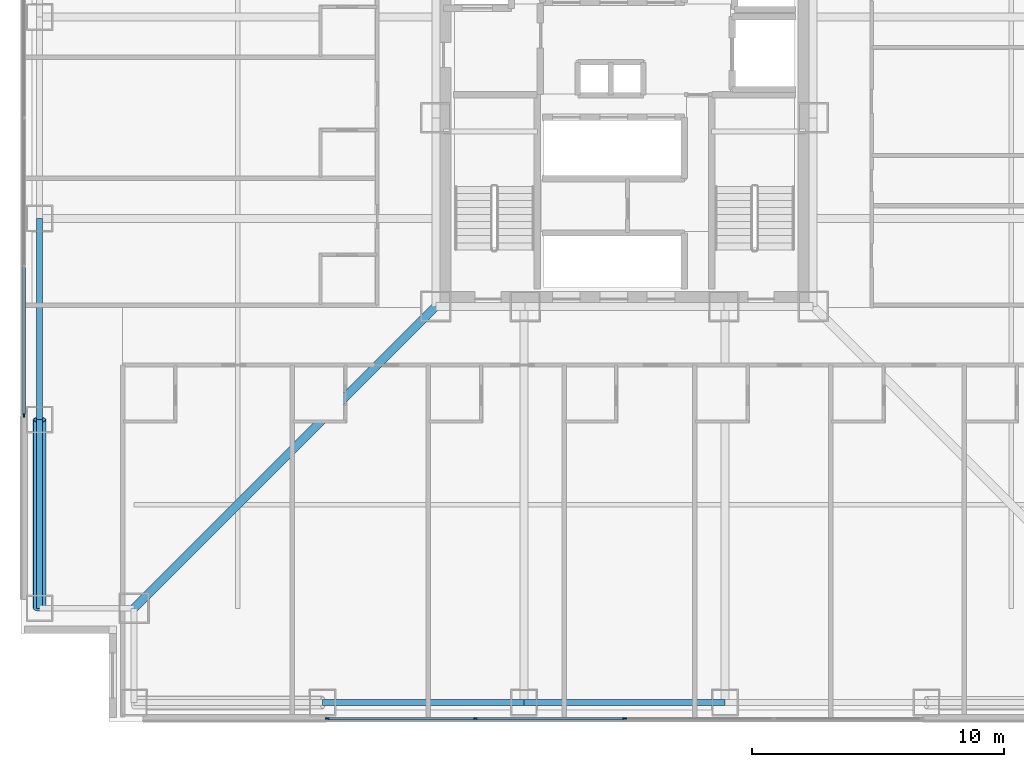
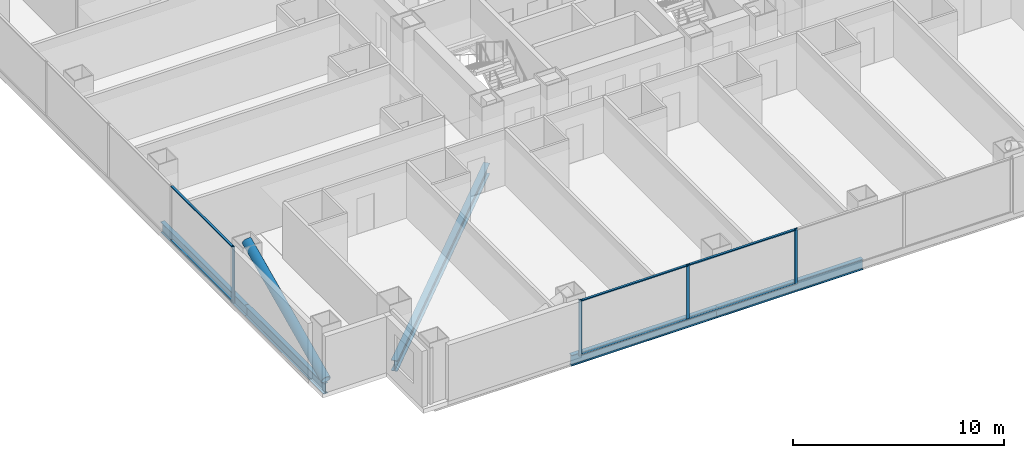
# One storey, part 2 of 23: 11 members, 5 beams, 2 elements without a shape of their own.
"""IFC4 building model written with IfcOpenShell, lengths in metres."""

from ifc_helpers import new_model, si_unit, direction, frame, origin, origin_2d, place, context, subcontext, project, spatial, rectangle, hollow_circle, i_section, extrude, material, layer, layer_set, material_profile, profile_set, type_object, element, aggregate, save


model = new_model("IFC4")

# Units and contexts
model_context = context("Model", 3, precision=1e-05, world=origin(), true_north=direction((0.0, 1.0)))
body_context = subcontext(model_context, "Body", "Model", "MODEL_VIEW")
ifc_project = project(units=[si_unit("LENGTHUNIT", "METRE"), si_unit("AREAUNIT", "SQUARE_METRE"), si_unit("VOLUMEUNIT", "CUBIC_METRE"), si_unit("PLANEANGLEUNIT", "RADIAN"), si_unit("MASSUNIT", "GRAM", prefix="KILO")], contexts=[model_context])

# Site, building, storey
site_placement = place(None, origin())
site = spatial("IfcSite", under=ifc_project, at=site_placement, CompositionType="ELEMENT")
building_placement = place(site_placement, origin())
building = spatial("IfcBuilding", under=site, at=building_placement, Name="Trevonay Congress Spire", CompositionType="ELEMENT")
storey_placement = place(building_placement, frame((0.0, 0.0, 34.0)))
storey = spatial("IfcBuildingStorey", under=building, at=storey_placement, Name="L07", CompositionType="ELEMENT", Elevation=34.0)

# Beams
ifc_material_1 = material(Name="Steel ASTM A572 Grade 50", Category="steel")
ifc_material_profile_1 = material_profile(ifc_material_1, i_section(OverallWidth=0.324951171875, OverallDepth=0.615966796875, WebThickness=0.013916015625, FlangeThickness=0.021484375, FilletRadius=0.01806640625, at=origin_2d()), Name="W610x174")
ifc_profile_set_1 = profile_set([ifc_material_profile_1], Name="Steel ASTM A572 Grade 50")
beam_type_1 = type_object("IfcBeamType", Name="BM-GIRD-W610X174", PredefinedType="BEAM", material=ifc_profile_set_1)
beam_1_placement = place(storey_placement, frame((-7.5, -7.5, -0.55810546875), z_axis=(-0.707106781187, -0.707106781187, 0.0), x_axis=(0.707106781187, -0.707106781187, 0.0)))
element("IfcBeam", 1, at=beam_1_placement, inside=storey, type_object=beam_type_1, Name="L07 structural beam BM-L07-CDSW", PredefinedType="BEAM", context=body_context, shape_type="SweptSolid", body=[
    extrude(i_section(OverallWidth=0.324951171875, OverallDepth=0.615966796875, WebThickness=0.013916015625, FlangeThickness=0.021484375, FilletRadius=0.01806640625, at=origin_2d()), origin(), (0.0, 0.0, 1.0), 16.970458984375),
])
ifc_material_profile_2 = material_profile(ifc_material_1, i_section(OverallWidth=0.22998046875, OverallDepth=0.616943359375, WebThickness=0.01318359375, FlangeThickness=0.022216796875, FilletRadius=0.01611328125, at=origin_2d()), Name="W610x140")
ifc_profile_set_2 = profile_set([ifc_material_profile_2], Name="Steel ASTM A572 Grade 50")
beam_type_2 = type_object("IfcBeamType", Name="BM-RING-W610X140", PredefinedType="BEAM", material=ifc_profile_set_2)
beam_2_placement = place(storey_placement, frame((-23.25, -19.5, -0.55859375), z_axis=(0.0, 1.0, 0.0), x_axis=(-1.0, 0.0, 0.0)))
element("IfcBeam", 2, at=beam_2_placement, inside=storey, type_object=beam_type_2, Name="L07 structural beam BM-L07-PW1", PredefinedType="BEAM", context=body_context, shape_type="SweptSolid", body=[
    extrude(i_section(OverallWidth=0.22998046875, OverallDepth=0.616943359375, WebThickness=0.01318359375, FlangeThickness=0.022216796875, FilletRadius=0.01611328125, at=origin_2d()), origin(), (0.0, 0.0, 1.0), 7.5),
])
for number, where, z_axis, x_axis, name in (
    (3, (-12.0, -23.25, -0.55859375), (1.0, 0.0, 0.0), (0.0, 1.0, 0.0), "L07 structural beam BM-L07-PS2"),
    (4, (-23.25, -12.0, -0.55859375), (0.0, 1.0, 0.0), (-1.0, 0.0, 0.0), "L07 structural beam BM-L07-PW2"),
    (5, (-4.0, -23.25, -0.55859375), (1.0, 0.0, 0.0), (0.0, 1.0, 0.0), "L07 structural beam BM-L07-PS3"),
):
    element("IfcBeam", number, at=place(storey_placement, frame(where, z_axis=z_axis, x_axis=x_axis)), inside=storey, type_object=beam_type_2, Name=name, PredefinedType="BEAM", context=body_context, shape_type="SweptSolid", body=[
        extrude(i_section(OverallWidth=0.22998046875, OverallDepth=0.616943359375, WebThickness=0.01318359375, FlangeThickness=0.022216796875, FilletRadius=0.01611328125, at=origin_2d()), origin(), (0.0, 0.0, 1.0), 8.0),
    ])

# Curtain wall, members
ifc_material_2 = material(Name="Pale Anodised Aluminium EN AW-6063-T6", Category="aluminium")
ifc_layer = layer(ifc_material_2, 0.179931640625, Name="Pale Anodised Aluminium EN AW-6063-T6")
ifc_layer_set = layer_set([ifc_layer], Name="Pale Anodised Aluminium EN AW-6063-T6")
curtain_wall_type = type_object("IfcCurtainWallType", Name="CW-SYS02-HOTEL-PALE-METAL", PredefinedType="NOTDEFINED", material=ifc_layer_set)
curtain_wall_1_placement = place(storey_placement, origin())
curtain_wall_1 = element("IfcCurtainWall", 6, at=curtain_wall_1_placement, inside=storey, type_object=curtain_wall_type, Name="L07 S unitised curtain wall", PredefinedType="NOTDEFINED")
ifc_material_profile_3 = material_profile(ifc_material_2, rectangle(XDim=0.06005859375, YDim=0.159912109375, at=origin_2d()), Name="CW-MULLION-160-ALUMINIUM")
ifc_profile_set_3 = profile_set([ifc_material_profile_3], Name="Pale Anodised Aluminium EN AW-6063-T6")
member_type_1 = type_object("IfcMemberType", Name="CW-MULLION-160-ALUMINIUM", PredefinedType="MULLION", material=ifc_profile_set_3)
member_1_placement = place(storey_placement, frame((-11.820068359375, -23.8798828125, 0.0), z_axis=(0.0, 0.0, 1.0), x_axis=(0.0, 1.0, 0.0)))
member_1 = element("IfcMember", 7, at=member_1_placement, type_object=member_type_1, Name="CW02 mullion 1", PredefinedType="MULLION", context=body_context, shape_type="SweptSolid", body=[
    extrude(rectangle(XDim=0.06005859375, YDim=0.159912109375, at=origin_2d()), origin(), (0.0, 0.0, 1.0), 3.25),
])
member_2_placement = place(storey_placement, frame((-5.925048828125, -23.8798828125, 0.0), z_axis=(0.0, 0.0, 1.0), x_axis=(0.0, 1.0, 0.0)))
member_2 = element("IfcMember", 8, at=member_2_placement, type_object=member_type_1, Name="CW02 mullion 2", PredefinedType="MULLION", context=body_context, shape_type="SweptSolid", body=[
    extrude(rectangle(XDim=0.06005859375, YDim=0.159912109375, at=origin_2d()), origin(), (0.0, 0.0, 1.0), 3.25),
])
member_3_placement = place(storey_placement, frame((0.0, -23.8798828125, 0.0), z_axis=(0.0, 0.0, 1.0), x_axis=(0.0, 1.0, 0.0)))
member_3 = element("IfcMember", 9, at=member_3_placement, type_object=member_type_1, Name="CW02 mullion 3", PredefinedType="MULLION", context=body_context, shape_type="SweptSolid", body=[
    extrude(rectangle(XDim=0.06005859375, YDim=0.159912109375, at=origin_2d()), origin(), (0.0, 0.0, 1.0), 3.25),
])

# Curtain wall, member
curtain_wall_2_placement = place(storey_placement, origin())
curtain_wall_2 = element("IfcCurtainWall", 10, at=curtain_wall_2_placement, inside=storey, type_object=curtain_wall_type, Name="L07 W unitised curtain wall", PredefinedType="NOTDEFINED")
member_4_placement = place(storey_placement, frame((-23.8798828125, -11.820068359375, 0.0), z_axis=(0.0, 0.0, 1.0), x_axis=(-1.0, 0.0, 0.0)))
member_4 = element("IfcMember", 11, at=member_4_placement, type_object=member_type_1, Name="CW02 mullion 1", PredefinedType="MULLION", context=body_context, shape_type="SweptSolid", body=[
    extrude(rectangle(XDim=0.06005859375, YDim=0.159912109375, at=origin_2d()), origin(), (0.0, 0.0, 1.0), 3.25),
])

# Member
ifc_material_profile_4 = material_profile(ifc_material_2, rectangle(XDim=0.1201171875, YDim=0.06005859375, at=origin_2d()), Name="CW-TRANSOM-120-ALUMINIUM")
ifc_profile_set_4 = profile_set([ifc_material_profile_4], Name="Pale Anodised Aluminium EN AW-6063-T6")
member_type_2 = type_object("IfcMemberType", Name="CW-TRANSOM-120-ALUMINIUM", PredefinedType="USERDEFINED", material=ifc_profile_set_4)
member_5_placement = place(storey_placement, frame((-11.7900390625, -23.8798828125, 0.06005859375), z_axis=(1.0, 0.0, 0.0), x_axis=(0.0, 1.0, 0.0)))
member_5 = element("IfcMember", 12, at=member_5_placement, type_object=member_type_2, Name="CW02 transom 1.1", ObjectType="TRANSOM", PredefinedType="USERDEFINED", context=body_context, shape_type="SweptSolid", body=[
    extrude(rectangle(XDim=0.1201171875, YDim=0.06005859375, at=origin_2d()), origin(), (0.0, 0.0, 1.0), 5.8349609375),
])

member_6_placement = place(storey_placement, frame((-11.7900390625, -23.8798828125, 3.18994140625), z_axis=(1.0, 0.0, 0.0), x_axis=(0.0, 1.0, 0.0)))
member_6 = element("IfcMember", 13, at=member_6_placement, type_object=member_type_2, Name="CW02 transom 1.2", ObjectType="TRANSOM", PredefinedType="USERDEFINED", context=body_context, shape_type="SweptSolid", body=[
    extrude(rectangle(XDim=0.1201171875, YDim=0.06005859375, at=origin_2d()), origin(), (0.0, 0.0, 1.0), 5.8349609375),
])

member_7_placement = place(storey_placement, frame((-5.89501953125, -23.8798828125, 0.06005859375), z_axis=(1.0, 0.0, 0.0), x_axis=(0.0, 1.0, 0.0)))
member_7 = element("IfcMember", 14, at=member_7_placement, type_object=member_type_2, Name="CW02 transom 2.1", ObjectType="TRANSOM", PredefinedType="USERDEFINED", context=body_context, shape_type="SweptSolid", body=[
    extrude(rectangle(XDim=0.1201171875, YDim=0.06005859375, at=origin_2d()), origin(), (0.0, 0.0, 1.0), 5.864990234375),
])

member_8_placement = place(storey_placement, frame((-5.89501953125, -23.8798828125, 3.18994140625), z_axis=(1.0, 0.0, 0.0), x_axis=(0.0, 1.0, 0.0)))
member_8 = element("IfcMember", 15, at=member_8_placement, type_object=member_type_2, Name="CW02 transom 2.2", ObjectType="TRANSOM", PredefinedType="USERDEFINED", context=body_context, shape_type="SweptSolid", body=[
    extrude(rectangle(XDim=0.1201171875, YDim=0.06005859375, at=origin_2d()), origin(), (0.0, 0.0, 1.0), 5.864990234375),
])

aggregate(curtain_wall_1, [member_1, member_2, member_3, member_5, member_6, member_7, member_8])

member_9_placement = place(storey_placement, frame((-23.8798828125, -11.7900390625, 0.06005859375), z_axis=(0.0, 1.0, 0.0), x_axis=(-1.0, 0.0, 0.0)))
member_9 = element("IfcMember", 16, at=member_9_placement, type_object=member_type_2, Name="CW02 transom 1.1", ObjectType="TRANSOM", PredefinedType="USERDEFINED", context=body_context, shape_type="SweptSolid", body=[
    extrude(rectangle(XDim=0.1201171875, YDim=0.06005859375, at=origin_2d()), origin(), (0.0, 0.0, 1.0), 5.8349609375),
])

member_10_placement = place(storey_placement, frame((-23.8798828125, -11.7900390625, 3.18994140625), z_axis=(0.0, 1.0, 0.0), x_axis=(-1.0, 0.0, 0.0)))
member_10 = element("IfcMember", 17, at=member_10_placement, type_object=member_type_2, Name="CW02 transom 1.2", ObjectType="TRANSOM", PredefinedType="USERDEFINED", context=body_context, shape_type="SweptSolid", body=[
    extrude(rectangle(XDim=0.1201171875, YDim=0.06005859375, at=origin_2d()), origin(), (0.0, 0.0, 1.0), 5.8349609375),
])

aggregate(curtain_wall_2, [member_4, member_9, member_10])

ifc_material_profile_5 = material_profile(ifc_material_1, hollow_circle(Radius=0.25390625, WallThickness=0.02490234375, at=origin_2d()), Name="CHS 508x25")
ifc_profile_set_5 = profile_set([ifc_material_profile_5], Name="Steel ASTM A572 Grade 50")
member_type_3 = type_object("IfcMemberType", Name="MBR-TUBE-CHS508", PredefinedType="BRACE", material=ifc_profile_set_5)
member_11_placement = place(storey_placement, frame((-23.25, -19.5, -0.050048828125), z_axis=(0.0, 0.906183139995, 0.422885465331), x_axis=(-1.0, 0.0, 0.0)))
element("IfcMember", 18, at=member_11_placement, inside=storey, type_object=member_type_3, Name="L07 perimeter braced-tube diagonal W0", PredefinedType="BRACE", context=body_context, shape_type="SweptSolid", body=[
    extrude(hollow_circle(Radius=0.25390625, WallThickness=0.02490234375, at=origin_2d()), origin(), (0.0, 0.0, 1.0), 8.2763671875),
])

save(model, "model.ifc")
